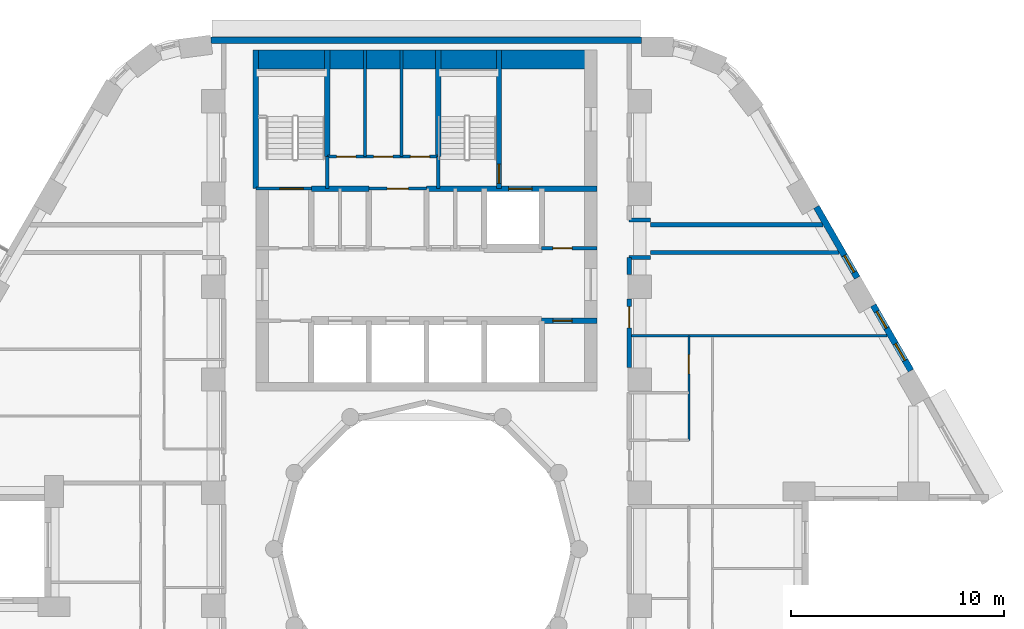
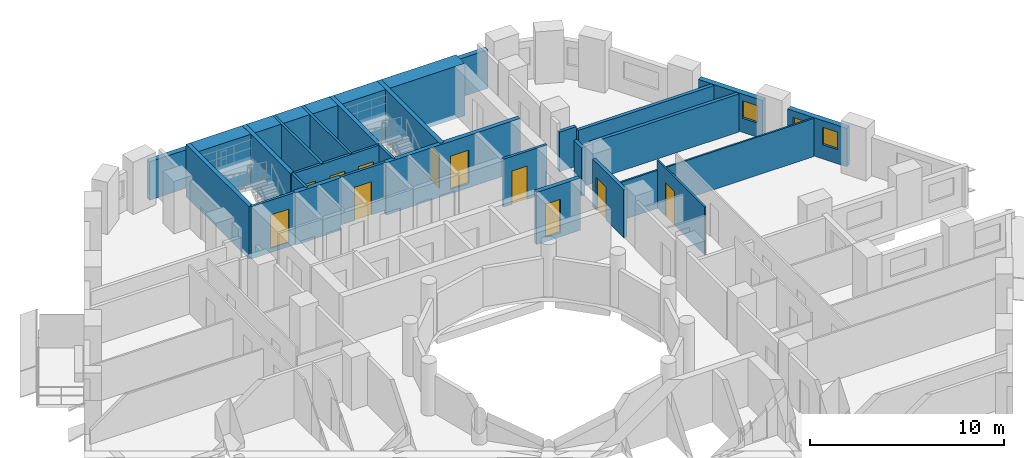
# One storey, part 8 of 13: 27 walls, 11 doors, 3 windows, 14 openings.
"""IFC4 building model written with IfcOpenShell, lengths in metres."""

import ifcopenshell
import ifcopenshell.guid

model = None  # the IFC model being written
_history = None  # IfcOwnerHistory: only IFC2X3 demands one
_inside = {}  # id of a spatial element -> (the spatial element, [elements in it])
_under = {}  # id of a project, library or spatial element -> (it, [spatial elements below it])
_declared = {}  # id of a project -> (the project, [libraries it declares])
_typed = {}  # id of a type object -> (the type object, [elements of that type])
_made_of = {}  # id of a material, layer set ... -> (it, [elements and type objects made of it])


def new_model(schema):
    """Start an empty IFC model of exactly this schema.

    Asked for "IFC4X3", IfcOpenShell would pick the latest addendum, in which some entities
    have other attributes; the version numbers below select the first issue.
    IFC2X3 requires an IfcOwnerHistory on every rooted entity: one is made here for all.
    """
    global model, _history
    if schema == "IFC4X3":
        model = ifcopenshell.file(schema_version=(4, 3, 0, 0))
    else:
        model = ifcopenshell.file(schema=schema)
    _inside.clear()
    _under.clear()
    _declared.clear()
    _typed.clear()
    _made_of.clear()
    _history = None
    if model.schema == "IFC2X3":
        org = make("IfcOrganization", Name="unknown")
        user = make(
            "IfcPersonAndOrganization",
            ThePerson=make("IfcPerson", FamilyName="unknown"),
            TheOrganization=org,
        )
        app = make(
            "IfcApplication",
            ApplicationDeveloper=org,
            Version="unknown",
            ApplicationFullName="unknown",
            ApplicationIdentifier="unknown",
        )
        _history = make(
            "IfcOwnerHistory",
            OwningUser=user,
            OwningApplication=app,
            ChangeAction="ADDED",
            CreationDate=0,
        )
    return model


def make(cls, **values):
    """One entity of the class cls with the attributes given. An attribute that is None is left unset."""
    return model.create_entity(
        cls, **{name: value for name, value in values.items() if value is not None}
    )


def rooted(cls, **values):
    """An entity with a GlobalId (a new one), such as an element, a storey or a relation."""
    return make(cls, GlobalId=ifcopenshell.guid.new(), OwnerHistory=_history, **values)


def si_unit(unit_type, name, prefix=None):
    """IfcSIUnit, for example si_unit("LENGTHUNIT", "METRE", prefix="MILLI")."""
    return make("IfcSIUnit", UnitType=unit_type, Prefix=prefix, Name=name)


def assignment(units):
    """IfcUnitAssignment: the units of a project."""
    return None if units is None else make("IfcUnitAssignment", Units=units)


def point(xyz):
    """IfcCartesianPoint."""
    return None if xyz is None else make("IfcCartesianPoint", Coordinates=xyz)


def direction(xyz):
    """IfcDirection."""
    return None if xyz is None else make("IfcDirection", DirectionRatios=xyz)


def frame(location, z_axis=None, x_axis=None):
    """IfcAxis2Placement3D, a coordinate frame: its origin and axes. An axis left out is left unset."""
    return make(
        "IfcAxis2Placement3D",
        Location=point(location),
        Axis=direction(z_axis),
        RefDirection=direction(x_axis),
    )


def frame_2d(location, x_axis=None):
    """IfcAxis2Placement2D, a coordinate frame in the plane: its origin and x axis."""
    return make(
        "IfcAxis2Placement2D", Location=point(location), RefDirection=direction(x_axis)
    )


def origin():
    """The frame at (0, 0, 0) with its axes left unset."""
    return frame((0.0, 0.0, 0.0))


def place(relative_to, where):
    """IfcLocalPlacement: puts the frame where relative to a parent placement (None: the world)."""
    return make(
        "IfcLocalPlacement", PlacementRelTo=relative_to, RelativePlacement=where
    )


def context(
    kind, dimensions, precision=None, world=None, true_north=None, identifier=None
):
    """IfcGeometricRepresentationContext, for example the 3D "Model" context."""
    return make(
        "IfcGeometricRepresentationContext",
        ContextIdentifier=identifier,
        ContextType=kind,
        CoordinateSpaceDimension=dimensions,
        Precision=precision,
        WorldCoordinateSystem=world,
        TrueNorth=true_north,
    )


def subcontext(parent, identifier, kind, view, scale=None):
    """IfcGeometricRepresentationSubContext, for example "Body" below "Model"."""
    return make(
        "IfcGeometricRepresentationSubContext",
        ContextIdentifier=identifier,
        ContextType=kind,
        ParentContext=parent,
        TargetScale=scale,
        TargetView=view,
    )


def project(units=None, contexts=None):
    """IfcProject with its units and contexts."""
    return rooted(
        "IfcProject",
        Name="project",
        RepresentationContexts=contexts,
        UnitsInContext=assignment(units),
    )


def spatial(cls, under=None, at=None, **own):
    """A site, building, storey or space (cls), placed at a placement, below another one or the project."""
    s = rooted(cls, ObjectPlacement=at, **own)
    if under is not None:
        _under.setdefault(under.id(), (under, []))[1].append(s)
    return s


def profile(cls, at=None, kind="AREA", **sizes):
    """A parametric profile (cls). Its sizes go by their IFC names, for example OverallWidth=200.0."""
    return make(cls, ProfileType=kind, Position=at, **sizes)


def rectangle(**sizes):
    """IfcRectangleProfileDef."""
    return profile("IfcRectangleProfileDef", **sizes)


def extrude(swept, where, along, depth):
    """IfcExtrudedAreaSolid: the profile swept, set in the frame where, extruded along a direction by depth."""
    return make(
        "IfcExtrudedAreaSolid",
        SweptArea=swept,
        Position=where,
        ExtrudedDirection=direction(along),
        Depth=depth,
    )


def shape(context_of_items, identifier, shape_type, items):
    """IfcShapeRepresentation: the items that make up one representation, for example the "Body"."""
    return make(
        "IfcShapeRepresentation",
        ContextOfItems=context_of_items,
        RepresentationIdentifier=identifier,
        RepresentationType=shape_type,
        Items=items,
    )


def material(Name=None, Category=None):
    """IfcMaterial."""
    return make("IfcMaterial", Name=Name, Category=Category)


def layer(
    of_material, thickness, ventilated=None, Name=None, Category=None, Priority=None
):
    """IfcMaterialLayer: one layer of a wall or slab, of a material (None: an air gap)."""
    return make(
        "IfcMaterialLayer",
        Material=of_material,
        LayerThickness=thickness,
        IsVentilated=ventilated,
        Name=Name,
        Category=Category,
        Priority=Priority,
    )


def layer_set(layers, Name=None):
    """IfcMaterialLayerSet."""
    return make("IfcMaterialLayerSet", MaterialLayers=layers, LayerSetName=Name)


def made_of(thing, what):
    """Note that an element or type object is made of a material, layer set ...; save() writes the relation."""
    if what is not None:
        _made_of.setdefault(what.id(), (what, []))[1].append(thing)
    return thing


def type_object(cls, material=None, **own):
    """A type object (cls), such as IfcWallType, which elements share."""
    return made_of(rooted(cls, **own), material)


def element(
    cls,
    number,
    at=None,
    inside=None,
    cuts=None,
    type_object=None,
    material=None,
    context=None,
    identifier="Body",
    shape_type=None,
    held_by="IfcProductDefinitionShape",
    body=None,
    shapes=None,
    **own,
):
    """One element of the class cls, such as IfcWall. Its Tag is "e" and its number.

    at: its placement. inside: the storey or other place that contains it. cuts: it is an
    opening in that element (IfcRelVoidsElement). A single representation is given by context,
    identifier, shape_type and body (its items); several are given by shapes. held_by: the class
    of the entity that holds the representations. save() writes the other relations.
    """
    e = rooted(cls, Tag="e%d" % number, ObjectPlacement=at, **own)
    if body is not None:
        shapes = [shape(context, identifier, shape_type, body)]
    if shapes is not None:
        e.Representation = make(held_by, Representations=shapes)
    if inside is not None:
        _inside.setdefault(inside.id(), (inside, []))[1].append(e)
    if cuts is not None:
        rooted(
            "IfcRelVoidsElement", RelatingBuildingElement=cuts, RelatedOpeningElement=e
        )
    if type_object is not None:
        _typed.setdefault(type_object.id(), (type_object, []))[1].append(e)
    return made_of(e, material)


def fill(opening, filler):
    """IfcRelFillsElement: the door or window that sits in an opening."""
    return rooted(
        "IfcRelFillsElement",
        RelatingOpeningElement=opening,
        RelatedBuildingElement=filler,
    )


def aggregate(whole, parts):
    """IfcRelAggregates: a whole, such as a stair, and the parts it consists of."""
    return rooted("IfcRelAggregates", RelatingObject=whole, RelatedObjects=parts)


def save(model, path):
    """Write the relations noted so far, then the file.

    IfcRelAggregates (storeys below a building ...), IfcRelContainedInSpatialStructure (elements
    in a storey), IfcRelDefinesByType, IfcRelAssociatesMaterial and IfcRelDeclares: one each for
    every whole, place, type object, material and project.
    """
    for whole, parts in _under.values():
        aggregate(whole, parts)
    for where, things in _inside.values():
        rooted(
            "IfcRelContainedInSpatialStructure",
            RelatedElements=things,
            RelatingStructure=where,
        )
    for kind, things in _typed.values():
        rooted("IfcRelDefinesByType", RelatedObjects=things, RelatingType=kind)
    for what, things in _made_of.values():
        rooted("IfcRelAssociatesMaterial", RelatedObjects=things, RelatingMaterial=what)
    for by, libraries in _declared.values():
        rooted("IfcRelDeclares", RelatingContext=by, RelatedDefinitions=libraries)
    model.write(path)


model = new_model("IFC4")

# Units and contexts
model_context = context("Model", 3, precision=1e-05, world=origin(), true_north=direction((0.0, 1.0)))
body_context = subcontext(model_context, "Body", "Model", "MODEL_VIEW")
ifc_project = project(units=[si_unit("LENGTHUNIT", "METRE"), si_unit("AREAUNIT", "SQUARE_METRE"), si_unit("VOLUMEUNIT", "CUBIC_METRE"), si_unit("PLANEANGLEUNIT", "RADIAN"), si_unit("MASSUNIT", "GRAM", prefix="KILO")], contexts=[model_context])

# Site, building, storey
site_placement = place(None, origin())
site = spatial("IfcSite", under=ifc_project, at=site_placement, CompositionType="ELEMENT")
building_placement = place(site_placement, origin())
building = spatial("IfcBuilding", under=site, at=building_placement, Name="Nakaniwa Court", CompositionType="ELEMENT")
storey_placement = place(building_placement, frame((0.0, 0.0, 48.0)))
storey = spatial("IfcBuildingStorey", under=building, at=storey_placement, Name="L12", CompositionType="ELEMENT", Elevation=48.0)

# Wall, opening, door
ifc_material_1 = material(Name="Acoustic double stud partition")
ifc_layer_1 = layer(ifc_material_1, 0.199951171875)
ifc_layer_set_1 = layer_set([ifc_layer_1], Name="Acoustic double stud partition")
wall_type_1 = type_object("IfcWallType", Name="Acoustic double stud partition 200", PredefinedType="PARTITIONING", material=ifc_layer_set_1)
wall_1_placement = place(storey_placement, frame((89.5, 91.73291015625, 0.0), z_axis=(0.0, 0.0, 1.0), x_axis=(0.0, -1.0, 0.0)))
wall_1 = element("IfcWall", 1, at=wall_1_placement, inside=storey, type_object=wall_type_1, Name="Partition PW-080", PredefinedType="PARTITIONING", context=body_context, shape_type="SweptSolid", body=[
    extrude(rectangle(XDim=3.2158203125, YDim=0.199951171875, at=frame_2d((1.60791015625, 0.0))), origin(), (0.0, 0.0, 1.0), 3.02490234375),
])
opening_1_placement = place(wall_1_placement, frame((0.367919921875, 0.0, 0.0)))
opening_1 = element("IfcOpeningElement", 2, at=opening_1_placement, cuts=wall_1, Name="Opening D-02-06", PredefinedType="OPENING", context=body_context, shape_type="SweptSolid", body=[
    extrude(rectangle(XDim=1.0, YDim=2.10009765625, at=frame_2d((0.5, 1.050048828125))), frame((0.0, 0.10986328125, 0.0), z_axis=(0.0, -1.0, 0.0), x_axis=(1.0, 0.0, 0.0)), (0.0, 0.0, 1.0), 0.219970703125),
])
ifc_material_2 = material(Name="Solid core timber door set, black veneer", Category="wood")
door_type_1 = type_object("IfcDoorType", Name="Internal door 1000", OperationType="NOTDEFINED", PredefinedType="DOOR", material=ifc_material_2)
door_1_placement = place(opening_1_placement, origin())
door_1 = element("IfcDoor", 3, at=door_1_placement, inside=storey, type_object=door_type_1, Name="Door D-02-06 L12-058", OperationType="SINGLE_SWING_LEFT", OverallHeight=2.10009765625, OverallWidth=1.0, PredefinedType="DOOR", context=body_context, shape_type="SweptSolid", body=[
    extrude(rectangle(XDim=1.0, YDim=2.10009765625, at=frame_2d((0.5, 1.050048828125))), frame((0.0, 0.02490234375, 0.0), z_axis=(0.0, -1.0, 0.0), x_axis=(1.0, 0.0, 0.0)), (0.0, 0.0, 1.0), 0.050048828125),
])
fill(opening_1, door_1)

# Walls
wall_2_placement = place(storey_placement, frame((89.5, 92.866943359375, 0.0), z_axis=(0.0, 0.0, 1.0), x_axis=(0.0, 1.0, 0.0)))
element("IfcWall", 4, at=wall_2_placement, inside=storey, type_object=wall_type_1, Name="Partition PW-081", PredefinedType="PARTITIONING", context=body_context, shape_type="SweptSolid", body=[
    extrude(rectangle(XDim=0.81103515625, YDim=0.199951171875, at=frame_2d((0.405517578125, 0.0))), origin(), (0.0, 0.0, 1.0), 3.02490234375),
])
wall_3_placement = place(storey_placement, frame((89.5, 95.425048828125, 0.0), z_axis=(0.0, 0.0, 1.0), x_axis=(1.0, 0.0, 0.0)))
element("IfcWall", 5, at=wall_3_placement, inside=storey, type_object=wall_type_1, Name="Partition PW-086", PredefinedType="PARTITIONING", context=body_context, shape_type="SweptSolid", body=[
    extrude(rectangle(XDim=1.0, YDim=0.199951171875, at=frame_2d((0.5, 0.0))), origin(), (0.0, 0.0, 1.0), 2.5048828125),
])
wall_4_placement = place(storey_placement, frame((90.5, 95.199951171875, 0.0), z_axis=(0.0, 0.0, 1.0), x_axis=(1.0, 0.0, 0.0)))
element("IfcWall", 6, at=wall_4_placement, inside=storey, type_object=wall_type_1, Name="Partition PW-088", PredefinedType="PARTITIONING", context=body_context, shape_type="SweptSolid", body=[
    extrude(rectangle(XDim=8.0908203125, YDim=0.199951171875, at=frame_2d((4.04541015625, 0.0))), origin(), (0.0, 0.0, 1.0), 2.405029296875),
])
wall_5_placement = place(storey_placement, frame((90.5, 93.89990234375, 0.0), z_axis=(0.0, 0.0, 1.0), x_axis=(1.0, 0.0, 0.0)))
element("IfcWall", 7, at=wall_5_placement, inside=storey, type_object=wall_type_1, Name="Partition PW-090", PredefinedType="PARTITIONING", context=body_context, shape_type="SweptSolid", body=[
    extrude(rectangle(XDim=8.84130859375, YDim=0.199951171875, at=frame_2d((4.420654296875, 0.0))), origin(), (0.0, 0.0, 1.0), 2.405029296875),
])
wall_6_placement = place(storey_placement, frame((89.5, 93.675048828125, 0.0), z_axis=(0.0, 0.0, 1.0), x_axis=(1.0, 0.0, 0.0)))
element("IfcWall", 8, at=wall_6_placement, inside=storey, type_object=wall_type_1, Name="Partition PW-092", PredefinedType="PARTITIONING", context=body_context, shape_type="SweptSolid", body=[
    extrude(rectangle(XDim=1.0, YDim=0.199951171875, at=frame_2d((0.5, 0.0))), origin(), (0.0, 0.0, 1.0), 2.5048828125),
])

# Wall, openings, windows
ifc_material_3 = material(Name="Charcoal ceramic cladding")
ifc_layer_2 = layer(ifc_material_3, 0.02, Name="Ceramic cladding")
ifc_material_4 = material(Name="Ventilated air cavity")
ifc_layer_3 = layer(ifc_material_4, 0.04, ventilated=True, Name="Ventilated cavity")
ifc_material_5 = material(Name="Mineral wool insulation")
ifc_layer_4 = layer(ifc_material_5, 0.1, Name="Insulation")
ifc_material_6 = material(Name="Cement bonded sheathing board")
ifc_layer_5 = layer(ifc_material_6, 0.012, Name="Sheathing")
ifc_material_7 = material(Name="Cold-formed galvanised stud frame with mineral wool infill")
ifc_layer_6 = layer(ifc_material_7, 0.1, Name="Stud frame")
ifc_material_8 = material(Name="Fire-rated gypsum plasterboard lining")
ifc_layer_7 = layer(ifc_material_8, 0.028, Name="Lining")
ifc_layer_set_2 = layer_set([ifc_layer_2, ifc_layer_3, ifc_layer_4, ifc_layer_5, ifc_layer_6, ifc_layer_7], Name="Charcoal ceramic faced external wall system")
wall_type_2 = type_object("IfcWallType", Name="Black ceramic faced external wall 300", PredefinedType="SOLIDWALL", material=ifc_layer_set_2)
wall_7_placement = place(storey_placement, frame((102.709716796875, 88.36572265625, 0.0), z_axis=(0.0, 0.0, 1.0), x_axis=(-0.499977402622, 0.866038449993, 0.0)))
wall_7 = element("IfcWall", 9, at=wall_7_placement, inside=storey, type_object=wall_type_2, Name="L12 external wall 03", PredefinedType="SOLIDWALL", context=body_context, shape_type="SweptSolid", body=[
    extrude(rectangle(XDim=3.536865234375, YDim=0.300048828125, at=frame_2d((1.7685546875, 0.0))), origin(), (0.0, 0.0, 1.0), 2.425048828125),
])
opening_2_placement = place(wall_7_placement, frame((0.5546875, 0.0, 0.89990234375)))
opening_2 = element("IfcOpeningElement", 10, at=opening_2_placement, cuts=wall_7, Name="Opening W9.04", PredefinedType="OPENING", context=body_context, shape_type="SweptSolid", body=[
    extrude(rectangle(XDim=0.89990234375, YDim=1.10009765625, at=frame_2d((0.449951171875, 0.550048828125))), frame((0.0, 0.159912109375, 0.0), z_axis=(0.0, -1.0, 0.0), x_axis=(1.0, 0.0, 0.0)), (0.0, 0.0, 1.0), 0.320068359375),
])
opening_3_placement = place(wall_7_placement, frame((2.299072265625, 0.0, 0.89990234375)))
opening_3 = element("IfcOpeningElement", 11, at=opening_3_placement, cuts=wall_7, Name="Opening W9.05", PredefinedType="OPENING", context=body_context, shape_type="SweptSolid", body=[
    extrude(rectangle(XDim=0.89990234375, YDim=1.10009765625, at=frame_2d((0.449951171875, 0.550048828125))), frame((0.0, 0.159912109375, 0.0), z_axis=(0.0, -1.0, 0.0), x_axis=(1.0, 0.0, 0.0)), (0.0, 0.0, 1.0), 0.320068359375),
])
ifc_material_9 = material(Name="Black anodised aluminium frame with dark low-E laminated double glazing", Category="aluminium")
window_type = type_object("IfcWindowType", Name="Dark glass window 900x1100 sill 900", PartitioningType="SINGLE_PANEL", PredefinedType="WINDOW", material=ifc_material_9)
window_1_placement = place(opening_2_placement, origin())
window_1 = element("IfcWindow", 12, at=window_1_placement, inside=storey, type_object=window_type, Name="L12 living window 03-0", OverallHeight=1.10009765625, OverallWidth=0.89990234375, PartitioningType="SINGLE_PANEL", PredefinedType="WINDOW", context=body_context, shape_type="SweptSolid", body=[
    extrude(rectangle(XDim=0.89990234375, YDim=1.10009765625, at=frame_2d((0.449951171875, 0.550048828125))), frame((0.0, 0.030029296875, 0.0), z_axis=(0.0, -1.0, 0.0), x_axis=(1.0, 0.0, 0.0)), (0.0, 0.0, 1.0), 0.06005859375),
])
fill(opening_2, window_1)
window_2_placement = place(opening_3_placement, origin())
window_2 = element("IfcWindow", 13, at=window_2_placement, inside=storey, type_object=window_type, Name="L12 habitable room window 03-1", OverallHeight=1.10009765625, OverallWidth=0.89990234375, PartitioningType="SINGLE_PANEL", PredefinedType="WINDOW", context=body_context, shape_type="SweptSolid", body=[
    extrude(rectangle(XDim=0.89990234375, YDim=1.10009765625, at=frame_2d((0.449951171875, 0.550048828125))), frame((0.0, 0.030029296875, 0.0), z_axis=(0.0, -1.0, 0.0), x_axis=(1.0, 0.0, 0.0)), (0.0, 0.0, 1.0), 0.06005859375),
])
fill(opening_3, window_2)

# Wall, opening, window
wall_8_placement = place(storey_placement, frame((100.1953125, 92.720703125, 0.0), z_axis=(0.0, 0.0, 1.0), x_axis=(-0.500001735503, 0.866024401789, 0.0)))
wall_8 = element("IfcWall", 14, at=wall_8_placement, inside=storey, type_object=wall_type_2, Name="L12 external wall 04", PredefinedType="SOLIDWALL", context=body_context, shape_type="SweptSolid", body=[
    extrude(rectangle(XDim=3.833984375, YDim=0.300048828125, at=frame_2d((1.9169921875, 0.0))), origin(), (0.0, 0.0, 1.0), 2.425048828125),
])
opening_4_placement = place(wall_8_placement, frame((0.304931640625, 0.0, 0.89990234375)))
opening_4 = element("IfcOpeningElement", 15, at=opening_4_placement, cuts=wall_8, Name="Opening W9.06", PredefinedType="OPENING", context=body_context, shape_type="SweptSolid", body=[
    extrude(rectangle(XDim=0.89990234375, YDim=1.10009765625, at=frame_2d((0.449951171875, 0.550048828125))), frame((0.0, 0.159912109375, 0.0), z_axis=(0.0, -1.0, 0.0), x_axis=(1.0, 0.0, 0.0)), (0.0, 0.0, 1.0), 0.320068359375),
])
window_3_placement = place(opening_4_placement, origin())
window_3 = element("IfcWindow", 16, at=window_3_placement, inside=storey, type_object=window_type, Name="L12 habitable room window 04-0", OverallHeight=1.10009765625, OverallWidth=0.89990234375, PartitioningType="SINGLE_PANEL", PredefinedType="WINDOW", context=body_context, shape_type="SweptSolid", body=[
    extrude(rectangle(XDim=0.89990234375, YDim=1.10009765625, at=frame_2d((0.449951171875, 0.550048828125))), frame((0.0, 0.030029296875, 0.0), z_axis=(0.0, -1.0, 0.0), x_axis=(1.0, 0.0, 0.0)), (0.0, 0.0, 1.0), 0.06005859375),
])
fill(opening_4, window_3)

# Wall
wall_9_placement = place(storey_placement, frame((90.07861328125, 103.85009765625, 0.0), z_axis=(0.0, 0.0, 1.0), x_axis=(-1.0, 0.0, 0.0)))
element("IfcWall", 17, at=wall_9_placement, inside=storey, type_object=wall_type_2, Name="L12 external wall 08", PredefinedType="SOLIDWALL", context=body_context, shape_type="SweptSolid", body=[
    extrude(rectangle(XDim=20.1904296875, YDim=0.300048828125, at=frame_2d((10.09521484375, 0.0))), origin(), (0.0, 0.0, 1.0), 2.425048828125),
])

# Wall, opening, door
ifc_material_10 = material(Name="Blockwork partition", Category="masonry")
ifc_layer_8 = layer(ifc_material_10, 0.14990234375)
ifc_layer_set_3 = layer_set([ifc_layer_8], Name="Blockwork partition")
wall_type_3 = type_object("IfcWallType", Name="Blockwork partition 150", PredefinedType="PARTITIONING", material=ifc_layer_set_3)
wall_10_placement = place(storey_placement, frame((85.39697265625, 94.10009765625, 0.0), z_axis=(0.0, 0.0, 1.0), x_axis=(1.0, 0.0, 0.0)))
wall_10 = element("IfcWall", 18, at=wall_10_placement, inside=storey, type_object=wall_type_3, Name="Partition PW-018", PredefinedType="PARTITIONING", context=body_context, shape_type="SweptSolid", body=[
    extrude(rectangle(XDim=2.60302734375, YDim=0.14990234375, at=frame_2d((1.301513671875, 0.0))), origin(), (0.0, 0.0, 1.0), 3.02490234375),
])
opening_5_placement = place(wall_10_placement, frame((0.528076171875, 0.0, 0.0)))
opening_5 = element("IfcOpeningElement", 19, at=opening_5_placement, cuts=wall_10, Name="Opening D-05-07", PredefinedType="OPENING", context=body_context, shape_type="SweptSolid", body=[
    extrude(rectangle(XDim=0.89990234375, YDim=2.10009765625, at=frame_2d((0.449951171875, 1.050048828125))), frame((0.0, 0.0849609375, 0.0), z_axis=(0.0, -1.0, 0.0), x_axis=(1.0, 0.0, 0.0)), (0.0, 0.0, 1.0), 0.169921875),
])
ifc_material_11 = material(Name="Fire rated steel door set", Category="steel")
door_type_2 = type_object("IfcDoorType", Name="Service room door 900", OperationType="NOTDEFINED", PredefinedType="DOOR", material=ifc_material_11)
door_2_placement = place(opening_5_placement, origin())
door_2 = element("IfcDoor", 20, at=door_2_placement, inside=storey, type_object=door_type_2, Name="Door D-05-07 L12-009", OperationType="SINGLE_SWING_RIGHT", OverallHeight=2.10009765625, OverallWidth=0.89990234375, PredefinedType="DOOR", context=body_context, shape_type="SweptSolid", body=[
    extrude(rectangle(XDim=0.89990234375, YDim=2.10009765625, at=frame_2d((0.449951171875, 1.050048828125))), frame((0.0, 0.02490234375, 0.0), z_axis=(0.0, -1.0, 0.0), x_axis=(1.0, 0.0, 0.0)), (0.0, 0.0, 1.0), 0.050048828125),
])
fill(opening_5, door_2)

wall_11_placement = place(storey_placement, frame((77.300048828125, 96.89990234375, 0.0), z_axis=(0.0, 0.0, 1.0), x_axis=(1.0, 0.0, 0.0)))
wall_11 = element("IfcWall", 21, at=wall_11_placement, inside=storey, type_object=wall_type_3, Name="Partition PW-026", PredefinedType="PARTITIONING", context=body_context, shape_type="SweptSolid", body=[
    extrude(rectangle(XDim=2.699951171875, YDim=0.14990234375, at=frame_2d((1.35009765625, 0.0))), origin(), (0.0, 0.0, 1.0), 3.02490234375),
])
opening_6_placement = place(wall_11_placement, frame((0.85009765625, 0.0, 0.0)))
opening_6 = element("IfcOpeningElement", 22, at=opening_6_placement, cuts=wall_11, Name="Opening D-23-01", PredefinedType="OPENING", context=body_context, shape_type="SweptSolid", body=[
    extrude(rectangle(XDim=1.0, YDim=2.10009765625, at=frame_2d((0.5, 1.050048828125))), frame((0.0, 0.0849609375, 0.0), z_axis=(0.0, -1.0, 0.0), x_axis=(1.0, 0.0, 0.0)), (0.0, 0.0, 1.0), 0.169921875),
])
door_type_3 = type_object("IfcDoorType", Name="Service room door 1000", OperationType="NOTDEFINED", PredefinedType="DOOR", material=ifc_material_11)
door_3_placement = place(opening_6_placement, origin())
door_3 = element("IfcDoor", 23, at=door_3_placement, inside=storey, type_object=door_type_3, Name="Door D-23-01 L12-010", OperationType="SINGLE_SWING_LEFT", OverallHeight=2.10009765625, OverallWidth=1.0, PredefinedType="DOOR", context=body_context, shape_type="SweptSolid", body=[
    extrude(rectangle(XDim=1.0, YDim=2.10009765625, at=frame_2d((0.5, 1.050048828125))), frame((0.0, 0.02490234375, 0.0), z_axis=(0.0, -1.0, 0.0), x_axis=(1.0, 0.0, 0.0)), (0.0, 0.0, 1.0), 0.050048828125),
])
fill(opening_6, door_3)

# Wall, openings, doors
wall_12_placement = place(storey_placement, frame((75.35009765625, 98.39990234375, 0.0), z_axis=(0.0, 0.0, 1.0), x_axis=(1.0, 0.0, 0.0)))
wall_12 = element("IfcWall", 24, at=wall_12_placement, inside=storey, type_object=wall_type_3, Name="Partition PW-034", PredefinedType="PARTITIONING", context=body_context, shape_type="SweptSolid", body=[
    extrude(rectangle(XDim=5.199951171875, YDim=0.14990234375, at=frame_2d((2.60009765625, 0.0))), origin(), (0.0, 0.0, 1.0), 3.02490234375),
])
opening_7_placement = place(wall_12_placement, frame((0.43408203125, 0.0, 0.0)))
opening_7 = element("IfcOpeningElement", 25, at=opening_7_placement, cuts=wall_12, Name="Opening D-05-08", PredefinedType="OPENING", context=body_context, shape_type="SweptSolid", body=[
    extrude(rectangle(XDim=0.89990234375, YDim=2.10009765625, at=frame_2d((0.449951171875, 1.050048828125))), frame((0.0, 0.0849609375, 0.0), z_axis=(0.0, -1.0, 0.0), x_axis=(1.0, 0.0, 0.0)), (0.0, 0.0, 1.0), 0.169921875),
])
opening_8_placement = place(wall_12_placement, frame((2.176025390625, 0.0, 0.0)))
opening_8 = element("IfcOpeningElement", 26, at=opening_8_placement, cuts=wall_12, Name="Opening D-05-09", PredefinedType="OPENING", context=body_context, shape_type="SweptSolid", body=[
    extrude(rectangle(XDim=0.89990234375, YDim=2.10009765625, at=frame_2d((0.449951171875, 1.050048828125))), frame((0.0, 0.0849609375, 0.0), z_axis=(0.0, -1.0, 0.0), x_axis=(1.0, 0.0, 0.0)), (0.0, 0.0, 1.0), 0.169921875),
])
opening_9_placement = place(wall_12_placement, frame((3.89208984375, 0.0, 0.0)))
opening_9 = element("IfcOpeningElement", 27, at=opening_9_placement, cuts=wall_12, Name="Opening D-05-10", PredefinedType="OPENING", context=body_context, shape_type="SweptSolid", body=[
    extrude(rectangle(XDim=0.89990234375, YDim=2.10009765625, at=frame_2d((0.449951171875, 1.050048828125))), frame((0.0, 0.0849609375, 0.0), z_axis=(0.0, -1.0, 0.0), x_axis=(1.0, 0.0, 0.0)), (0.0, 0.0, 1.0), 0.169921875),
])
door_4_placement = place(opening_7_placement, origin())
door_4 = element("IfcDoor", 28, at=door_4_placement, inside=storey, type_object=door_type_2, Name="Door D-05-08 L12-011", OperationType="SINGLE_SWING_RIGHT", OverallHeight=2.10009765625, OverallWidth=0.89990234375, PredefinedType="DOOR", context=body_context, shape_type="SweptSolid", body=[
    extrude(rectangle(XDim=0.89990234375, YDim=2.10009765625, at=frame_2d((0.449951171875, 1.050048828125))), frame((0.0, 0.02490234375, 0.0), z_axis=(0.0, -1.0, 0.0), x_axis=(1.0, 0.0, 0.0)), (0.0, 0.0, 1.0), 0.050048828125),
])
fill(opening_7, door_4)
door_5_placement = place(opening_8_placement, origin())
door_5 = element("IfcDoor", 29, at=door_5_placement, inside=storey, type_object=door_type_2, Name="Door D-05-09 L12-012", OperationType="SINGLE_SWING_LEFT", OverallHeight=2.10009765625, OverallWidth=0.89990234375, PredefinedType="DOOR", context=body_context, shape_type="SweptSolid", body=[
    extrude(rectangle(XDim=0.89990234375, YDim=2.10009765625, at=frame_2d((0.449951171875, 1.050048828125))), frame((0.0, 0.02490234375, 0.0), z_axis=(0.0, -1.0, 0.0), x_axis=(1.0, 0.0, 0.0)), (0.0, 0.0, 1.0), 0.050048828125),
])
fill(opening_8, door_5)
door_6_placement = place(opening_9_placement, origin())
door_6 = element("IfcDoor", 30, at=door_6_placement, inside=storey, type_object=door_type_2, Name="Door D-05-10 L12-013", OperationType="SINGLE_SWING_RIGHT", OverallHeight=2.10009765625, OverallWidth=0.89990234375, PredefinedType="DOOR", context=body_context, shape_type="SweptSolid", body=[
    extrude(rectangle(XDim=0.89990234375, YDim=2.10009765625, at=frame_2d((0.449951171875, 1.050048828125))), frame((0.0, 0.02490234375, 0.0), z_axis=(0.0, -1.0, 0.0), x_axis=(1.0, 0.0, 0.0)), (0.0, 0.0, 1.0), 0.050048828125),
])
fill(opening_9, door_6)

# Walls
for number, where, z_axis, x_axis, name in (
    (31, (77.117919921875, 98.39990234375, 0.0), (0.0, 0.0, 1.0), (0.0, 1.0, 0.0), "Partition PW-035"),
    (32, (78.833984375, 98.39990234375, 0.0), (0.0, 0.0, 1.0), (0.0, 1.0, 0.0), "Partition PW-036"),
):
    element("IfcWall", number, at=place(storey_placement, frame(where, z_axis=z_axis, x_axis=x_axis)), inside=storey, type_object=wall_type_3, Name=name, PredefinedType="PARTITIONING", context=body_context, shape_type="SweptSolid", body=[
        extrude(rectangle(XDim=5.0, YDim=0.14990234375, at=frame_2d((2.5, 0.0))), origin(), (0.0, 0.0, 1.0), 3.02490234375),
    ])

# Wall, opening, door
ifc_material_12 = material(Name="Concrete C100/115", Category="concrete")
ifc_layer_9 = layer(ifc_material_12, 0.14990234375)
ifc_layer_set_4 = layer_set([ifc_layer_9], Name="Concrete C100/115")
wall_type_4 = type_object("IfcWallType", Name="Concrete core wall 150 C100", PredefinedType="SHEAR", material=ifc_layer_set_4)
wall_13_placement = place(storey_placement, frame((74.60009765625, 96.89990234375, -0.27490234375), z_axis=(0.0, 0.0, 1.0), x_axis=(-1.0, 0.0, 0.0)))
wall_13 = element("IfcWall", 33, at=wall_13_placement, inside=storey, type_object=wall_type_4, Name="Core wall SW-22", PredefinedType="SHEAR", context=body_context, shape_type="SweptSolid", body=[
    extrude(rectangle(XDim=2.60009765625, YDim=0.14990234375, at=frame_2d((1.300048828125, 0.0))), origin(), (0.0, 0.0, 1.0), 3.2998046875),
])
opening_10_placement = place(wall_13_placement, frame((0.3701171875, 0.0, 0.27490234375)))
opening_10 = element("IfcOpeningElement", 34, at=opening_10_placement, cuts=wall_13, Name="Opening D-09-01", PredefinedType="OPENING", context=body_context, shape_type="SweptSolid", body=[
    extrude(rectangle(XDim=1.10009765625, YDim=2.10009765625, at=frame_2d((0.550048828125, 1.050048828125))), frame((0.0, 0.0849609375, 0.0), z_axis=(0.0, -1.0, 0.0), x_axis=(1.0, 0.0, 0.0)), (0.0, 0.0, 1.0), 0.169921875),
])
door_type_4 = type_object("IfcDoorType", Name="Stair door 1100", OperationType="NOTDEFINED", PredefinedType="DOOR", material=ifc_material_11)
door_7_placement = place(opening_10_placement, origin())
door_7 = element("IfcDoor", 35, at=door_7_placement, inside=storey, type_object=door_type_4, Name="Door D-09-01 L12-014", OperationType="SINGLE_SWING_RIGHT", OverallHeight=2.10009765625, OverallWidth=1.10009765625, PredefinedType="DOOR", context=body_context, shape_type="SweptSolid", body=[
    extrude(rectangle(XDim=1.10009765625, YDim=2.10009765625, at=frame_2d((0.550048828125, 1.050048828125))), frame((0.0, 0.02490234375, 0.0), z_axis=(0.0, -1.0, 0.0), x_axis=(1.0, 0.0, 0.0)), (0.0, 0.0, 1.0), 0.050048828125),
])
fill(opening_10, door_7)

# Walls
for number, where, z_axis, x_axis, name in (
    (36, (75.35009765625, 96.89990234375, -0.27490234375), (0.0, 0.0, 1.0), (0.0, 1.0, 0.0), "Core wall SW-28"),
    (37, (80.550048828125, 96.89990234375, -0.27490234375), (0.0, 0.0, 1.0), (0.0, 1.0, 0.0), "Core wall SW-32"),
):
    element("IfcWall", number, at=place(storey_placement, frame(where, z_axis=z_axis, x_axis=x_axis)), inside=storey, type_object=wall_type_4, Name=name, PredefinedType="SHEAR", context=body_context, shape_type="SweptSolid", body=[
        extrude(rectangle(XDim=1.503173828125, YDim=0.14990234375, at=frame_2d((0.75146484375, 0.0))), origin(), (0.0, 0.0, 1.0), 3.2998046875),
    ])
ifc_layer_10 = layer(ifc_material_12, 0.25)
ifc_layer_set_5 = layer_set([ifc_layer_10], Name="Concrete C100/115")
wall_type_5 = type_object("IfcWallType", Name="Concrete core wall 250 C100", PredefinedType="SHEAR", material=ifc_layer_set_5)
wall_14_placement = place(storey_placement, frame((72.0, 96.89990234375, -0.27490234375), z_axis=(0.0, 0.0, 1.0), x_axis=(0.0, 1.0, 0.0)))
element("IfcWall", 38, at=wall_14_placement, inside=storey, type_object=wall_type_5, Name="Core wall SW-30", PredefinedType="SHEAR", context=body_context, shape_type="SweptSolid", body=[
    extrude(rectangle(XDim=6.5, YDim=0.25, at=frame_2d((3.25, 0.0))), origin(), (0.0, 0.0, 1.0), 3.2998046875),
])
ifc_layer_11 = layer(ifc_material_12, 0.89990234375)
ifc_layer_set_6 = layer_set([ifc_layer_11], Name="Concrete C100/115")
wall_type_6 = type_object("IfcWallType", Name="Concrete core wall 900 C100", PredefinedType="SHEAR", material=ifc_layer_set_6)
wall_15_placement = place(storey_placement, frame((72.00390625, 102.949951171875, -0.27490234375), z_axis=(0.0, 0.0, 1.0), x_axis=(1.0, 0.0, 0.0)))
element("IfcWall", 39, at=wall_15_placement, inside=storey, type_object=wall_type_6, Name="Core wall SW-139", PredefinedType="SHEAR", context=body_context, shape_type="SweptSolid", body=[
    extrude(rectangle(XDim=15.9921875, YDim=0.89990234375, at=frame_2d((7.99609375, 0.0))), origin(), (0.0, 0.0, 1.0), 3.2998046875),
])

# Wall, opening, door
ifc_layer_12 = layer(ifc_material_12, 0.25)
ifc_layer_set_7 = layer_set([ifc_layer_12], Name="Concrete C100/115")
wall_type_7 = type_object("IfcWallType", Name="Concrete shaft wall 250 C100", PredefinedType="SHEAR", material=ifc_layer_set_7)
wall_16_placement = place(storey_placement, frame((88.0, 90.699951171875, -0.27490234375), z_axis=(0.0, 0.0, 1.0), x_axis=(-1.0, 0.0, 0.0)))
wall_16 = element("IfcWall", 40, at=wall_16_placement, inside=storey, type_object=wall_type_7, Name="Core wall SW-14", PredefinedType="SHEAR", context=body_context, shape_type="SweptSolid", body=[
    extrude(rectangle(XDim=2.60009765625, YDim=0.25, at=frame_2d((1.300048828125, 0.0))), origin(), (0.0, 0.0, 1.0), 3.2998046875),
])
opening_11_placement = place(wall_16_placement, frame((1.175048828125, 0.0, 0.27490234375)))
opening_11 = element("IfcOpeningElement", 41, at=opening_11_placement, cuts=wall_16, Name="Opening D-05-02", PredefinedType="OPENING", context=body_context, shape_type="SweptSolid", body=[
    extrude(rectangle(XDim=0.89990234375, YDim=2.10009765625, at=frame_2d((0.449951171875, 1.050048828125))), frame((0.0, 0.135009765625, 0.0), z_axis=(0.0, -1.0, 0.0), x_axis=(1.0, 0.0, 0.0)), (0.0, 0.0, 1.0), 0.27001953125),
])
door_8_placement = place(opening_11_placement, origin())
door_8 = element("IfcDoor", 42, at=door_8_placement, inside=storey, type_object=door_type_2, Name="Door D-05-02 L12-002", OperationType="SINGLE_SWING_LEFT", OverallHeight=2.10009765625, OverallWidth=0.89990234375, PredefinedType="DOOR", context=body_context, shape_type="SweptSolid", body=[
    extrude(rectangle(XDim=0.89990234375, YDim=2.10009765625, at=frame_2d((0.449951171875, 1.050048828125))), frame((0.0, 0.02490234375, 0.0), z_axis=(0.0, -1.0, 0.0), x_axis=(1.0, 0.0, 0.0)), (0.0, 0.0, 1.0), 0.050048828125),
])
fill(opening_11, door_8)

# Wall
wall_17_placement = place(storey_placement, frame((74.60009765625, 96.89990234375, -0.27490234375), z_axis=(0.0, 0.0, 1.0), x_axis=(1.0, 0.0, 0.0)))
element("IfcWall", 43, at=wall_17_placement, inside=storey, type_object=wall_type_7, Name="Core wall SW-24", PredefinedType="SHEAR", context=body_context, shape_type="SweptSolid", body=[
    extrude(rectangle(XDim=2.699951171875, YDim=0.25, at=frame_2d((1.35009765625, 0.0))), origin(), (0.0, 0.0, 1.0), 3.2998046875),
])

# Wall, opening, door
wall_18_placement = place(storey_placement, frame((80.0, 96.89990234375, -0.27490234375), z_axis=(0.0, 0.0, 1.0), x_axis=(1.0, 0.0, 0.0)))
wall_18 = element("IfcWall", 44, at=wall_18_placement, inside=storey, type_object=wall_type_7, Name="Core wall SW-25", PredefinedType="SHEAR", context=body_context, shape_type="SweptSolid", body=[
    extrude(rectangle(XDim=8.0, YDim=0.25, at=frame_2d((4.0, 0.0))), origin(), (0.0, 0.0, 1.0), 3.2998046875),
])
opening_12_placement = place(wall_18_placement, frame((3.84912109375, 0.0, 0.27490234375)))
opening_12 = element("IfcOpeningElement", 45, at=opening_12_placement, cuts=wall_18, Name="Opening LD04", PredefinedType="OPENING", context=body_context, shape_type="SweptSolid", body=[
    extrude(rectangle(XDim=1.10009765625, YDim=2.10009765625, at=frame_2d((0.550048828125, 1.050048828125))), frame((0.0, 0.135009765625, 0.0), z_axis=(0.0, -1.0, 0.0), x_axis=(1.0, 0.0, 0.0)), (0.0, 0.0, 1.0), 0.27001953125),
])
ifc_material_13 = material(Name="Stainless steel sliding lift landing door", Category="steel")
door_type_5 = type_object("IfcDoorType", Name="Lift landing door 1100", OperationType="NOTDEFINED", PredefinedType="DOOR", material=ifc_material_13)
door_9_placement = place(opening_12_placement, origin())
door_9 = element("IfcDoor", 46, at=door_9_placement, inside=storey, type_object=door_type_5, Name="Lift landing door LD04 L12-004", OperationType="SLIDING_TO_LEFT", OverallHeight=2.10009765625, OverallWidth=1.10009765625, PredefinedType="DOOR", context=body_context, shape_type="SweptSolid", body=[
    extrude(rectangle(XDim=1.10009765625, YDim=2.10009765625, at=frame_2d((0.550048828125, 1.050048828125))), frame((0.0, 0.02490234375, 0.0), z_axis=(0.0, -1.0, 0.0), x_axis=(1.0, 0.0, 0.0)), (0.0, 0.0, 1.0), 0.050048828125),
])
fill(opening_12, door_9)

# Wall
wall_19_placement = place(storey_placement, frame((75.35009765625, 98.39697265625, -0.27490234375), z_axis=(0.0, 0.0, 1.0), x_axis=(0.0, 1.0, 0.0)))
element("IfcWall", 47, at=wall_19_placement, inside=storey, type_object=wall_type_7, Name="Core wall SW-29", PredefinedType="SHEAR", context=body_context, shape_type="SweptSolid", body=[
    extrude(rectangle(XDim=5.0029296875, YDim=0.25, at=frame_2d((2.50146484375, 0.0))), origin(), (0.0, 0.0, 1.0), 3.2998046875),
])

# Wall, opening, door
wall_20_placement = place(storey_placement, frame((83.39990234375, 103.39990234375, -0.27490234375), z_axis=(0.0, 0.0, 1.0), x_axis=(0.0, -1.0, 0.0)))
wall_20 = element("IfcWall", 48, at=wall_20_placement, inside=storey, type_object=wall_type_7, Name="Core wall SW-31", PredefinedType="SHEAR", context=body_context, shape_type="SweptSolid", body=[
    extrude(rectangle(XDim=6.5, YDim=0.25, at=frame_2d((3.25, 0.0))), origin(), (0.0, 0.0, 1.0), 3.2998046875),
])
opening_13_placement = place(wall_20_placement, frame((5.35009765625, 0.0, 0.27490234375)))
opening_13 = element("IfcOpeningElement", 49, at=opening_13_placement, cuts=wall_20, Name="Opening D-11-01", PredefinedType="OPENING", context=body_context, shape_type="SweptSolid", body=[
    extrude(rectangle(XDim=0.89990234375, YDim=2.10009765625, at=frame_2d((0.449951171875, 1.050048828125))), frame((0.0, 0.135009765625, 0.0), z_axis=(0.0, -1.0, 0.0), x_axis=(1.0, 0.0, 0.0)), (0.0, 0.0, 1.0), 0.27001953125),
])
door_type_6 = type_object("IfcDoorType", Name="Stair door 900", OperationType="NOTDEFINED", PredefinedType="DOOR", material=ifc_material_11)
door_10_placement = place(opening_13_placement, origin())
door_10 = element("IfcDoor", 50, at=door_10_placement, inside=storey, type_object=door_type_6, Name="Door D-11-01 L12-015", OperationType="SINGLE_SWING_LEFT", OverallHeight=2.10009765625, OverallWidth=0.89990234375, PredefinedType="DOOR", context=body_context, shape_type="SweptSolid", body=[
    extrude(rectangle(XDim=0.89990234375, YDim=2.10009765625, at=frame_2d((0.449951171875, 1.050048828125))), frame((0.0, 0.02490234375, 0.0), z_axis=(0.0, -1.0, 0.0), x_axis=(1.0, 0.0, 0.0)), (0.0, 0.0, 1.0), 0.050048828125),
])
fill(opening_13, door_10)

# Wall
wall_21_placement = place(storey_placement, frame((80.550048828125, 98.39697265625, -0.27490234375), z_axis=(0.0, 0.0, 1.0), x_axis=(0.0, 1.0, 0.0)))
element("IfcWall", 51, at=wall_21_placement, inside=storey, type_object=wall_type_7, Name="Core wall SW-33", PredefinedType="SHEAR", context=body_context, shape_type="SweptSolid", body=[
    extrude(rectangle(XDim=5.0029296875, YDim=0.25, at=frame_2d((2.50146484375, 0.0))), origin(), (0.0, 0.0, 1.0), 3.2998046875),
])

# Wall, opening, door
ifc_material_14 = material(Name="Single stud plasterboard partition")
ifc_layer_13 = layer(ifc_material_14, 0.10009765625)
ifc_layer_set_8 = layer_set([ifc_layer_13], Name="Single stud plasterboard partition")
wall_type_8 = type_object("IfcWallType", Name="Single stud plasterboard partition 100", PredefinedType="PARTITIONING", material=ifc_layer_set_8)
wall_22_placement = place(storey_placement, frame((92.300048828125, 85.10009765625, 0.0), z_axis=(0.0, 0.0, 1.0), x_axis=(0.0, 1.0, 0.0)))
wall_22 = element("IfcWall", 52, at=wall_22_placement, inside=storey, type_object=wall_type_8, Name="Partition PW-117", PredefinedType="PARTITIONING", context=body_context, shape_type="SweptSolid", body=[
    extrude(rectangle(XDim=4.89990234375, YDim=0.10009765625, at=frame_2d((2.449951171875, 0.0))), origin(), (0.0, 0.0, 1.0), 3.02490234375),
])
opening_14_placement = place(wall_22_placement, frame((3.114013671875, 0.0, 0.0)))
opening_14 = element("IfcOpeningElement", 53, at=opening_14_placement, cuts=wall_22, Name="Opening D-33-05", PredefinedType="OPENING", context=body_context, shape_type="SweptSolid", body=[
    extrude(rectangle(XDim=0.89990234375, YDim=2.10009765625, at=frame_2d((0.449951171875, 1.050048828125))), frame((0.0, 0.06005859375, 0.0), z_axis=(0.0, -1.0, 0.0), x_axis=(1.0, 0.0, 0.0)), (0.0, 0.0, 1.0), 0.1201171875),
])
door_type_7 = type_object("IfcDoorType", Name="Internal door 900", OperationType="NOTDEFINED", PredefinedType="DOOR", material=ifc_material_2)
door_11_placement = place(opening_14_placement, origin())
door_11 = element("IfcDoor", 54, at=door_11_placement, inside=storey, type_object=door_type_7, Name="Door D-33-05 L12-040", OperationType="SINGLE_SWING_LEFT", OverallHeight=2.10009765625, OverallWidth=0.89990234375, PredefinedType="DOOR", context=body_context, shape_type="SweptSolid", body=[
    extrude(rectangle(XDim=0.89990234375, YDim=2.10009765625, at=frame_2d((0.449951171875, 1.050048828125))), frame((0.0, 0.02490234375, 0.0), z_axis=(0.0, -1.0, 0.0), x_axis=(1.0, 0.0, 0.0)), (0.0, 0.0, 1.0), 0.050048828125),
])
fill(opening_14, door_11)

# Wall
wall_23_placement = place(storey_placement, frame((89.5, 90.0, 0.0), z_axis=(0.0, 0.0, 1.0), x_axis=(1.0, 0.0, 0.0)))
element("IfcWall", 55, at=wall_23_placement, inside=storey, type_object=wall_type_8, Name="Partition PW-126", PredefinedType="PARTITIONING", context=body_context, shape_type="SweptSolid", body=[
    extrude(rectangle(XDim=12.093017578125, YDim=0.10009765625, at=frame_2d((6.04638671875, 0.0))), origin(), (0.0, 0.0, 1.0), 2.405029296875),
])

save(model, "model.ifc")
